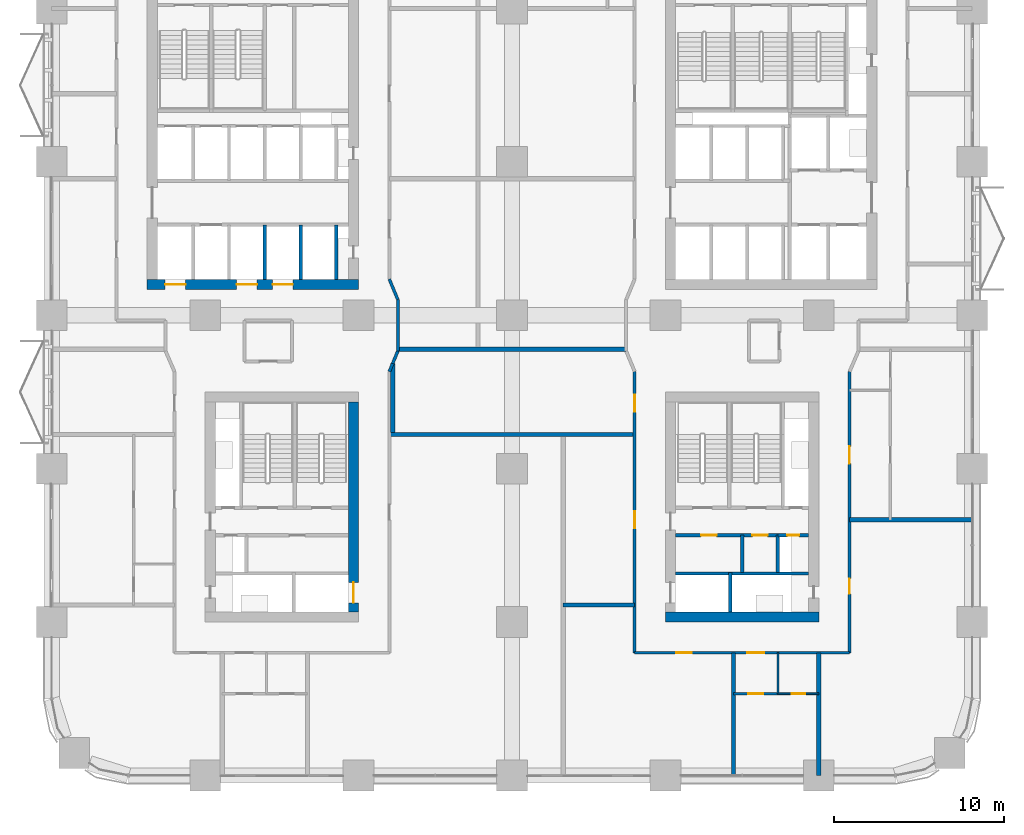
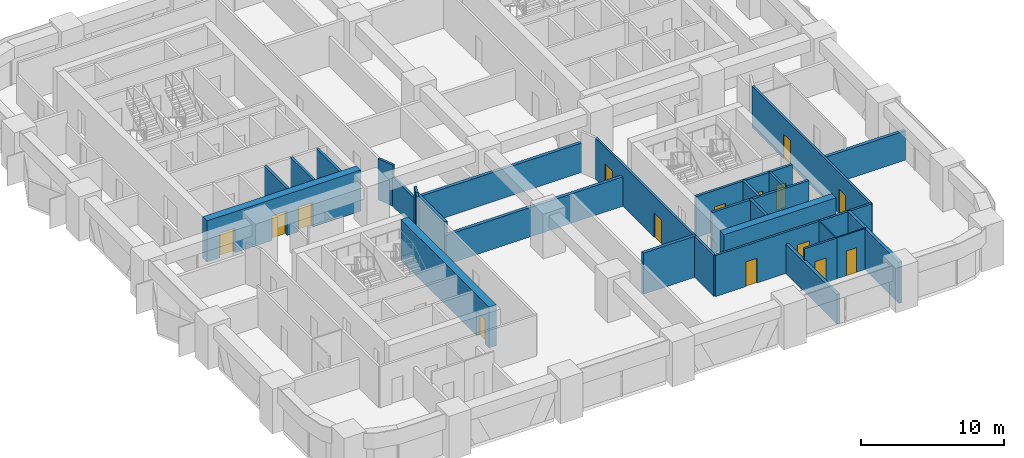
# One storey, part 13 of 21: 29 walls, 15 doors, 15 openings.
"""IFC4 building model written with IfcOpenShell, lengths in metres."""

from ifc_helpers import new_model, si_unit, direction, frame, frame_2d, origin, place, context, subcontext, project, spatial, rectangle, extrude, material, layer, layer_set, type_object, element, fill, save


model = new_model("IFC4")

# Units and contexts
model_context = context("Model", 3, precision=1e-05, world=origin(), true_north=direction((0.0, 1.0)))
body_context = subcontext(model_context, "Body", "Model", "MODEL_VIEW")
ifc_project = project(units=[si_unit("LENGTHUNIT", "METRE"), si_unit("AREAUNIT", "SQUARE_METRE"), si_unit("VOLUMEUNIT", "CUBIC_METRE"), si_unit("PLANEANGLEUNIT", "RADIAN"), si_unit("MASSUNIT", "GRAM", prefix="KILO")], contexts=[model_context])

# Site, building, storey
site_placement = place(None, origin())
site = spatial("IfcSite", under=ifc_project, at=site_placement, CompositionType="ELEMENT")
building_placement = place(site_placement, origin())
building = spatial("IfcBuilding", under=site, at=building_placement, Name="Tessera Arch", CompositionType="ELEMENT")
storey_placement = place(building_placement, frame((0.0, 0.0, 42.39990234375)))
storey = spatial("IfcBuildingStorey", under=building, at=storey_placement, Name="L08", CompositionType="ELEMENT", Elevation=42.39990234375)

# Wall
ifc_material_1 = material(Name="Gypsum board on steel stud", Category="steel")
ifc_layer_1 = layer(ifc_material_1, 0.125)
ifc_layer_set_1 = layer_set([ifc_layer_1], Name="Core partition 125 EI 60")
wall_type_1 = type_object("IfcWallType", Name="Core partition 125 EI 60", PredefinedType="PARTITIONING", material=ifc_layer_set_1)
wall_1_placement = place(storey_placement, frame((40.5, 11.89990234375, 0.0), z_axis=(0.0, 0.0, 1.0), x_axis=(0.0, 1.0, 0.0)))
element("IfcWall", 1, at=wall_1_placement, inside=storey, type_object=wall_type_1, Name="L08 C3 partition wall 4", PredefinedType="PARTITIONING", context=body_context, shape_type="SweptSolid", body=[
    extrude(rectangle(XDim=2.2001953125, YDim=0.199951171875, at=frame_2d((1.10009765625, 0.0))), origin(), (0.0, 0.0, 1.0), 3.5),
])

# Wall, openings, doors
wall_2_placement = place(storey_placement, frame((36.60009765625, 14.10009765625, 0.0), z_axis=(0.0, 0.0, 1.0), x_axis=(1.0, 0.0, 0.0)))
wall_2 = element("IfcWall", 2, at=wall_2_placement, inside=storey, type_object=wall_type_1, Name="L08 C3 partition wall 9", PredefinedType="PARTITIONING", context=body_context, shape_type="SweptSolid", body=[
    extrude(rectangle(XDim=6.0, YDim=0.199951171875, at=frame_2d((3.0, 0.0))), origin(), (0.0, 0.0, 1.0), 3.5),
])
opening_1_placement = place(wall_2_placement, frame((1.5, 0.0, 0.0)))
opening_1 = element("IfcOpeningElement", 3, at=opening_1_placement, cuts=wall_2, Name="Opening L08-C40", PredefinedType="OPENING", context=body_context, shape_type="SweptSolid", body=[
    extrude(rectangle(XDim=0.89990234375, YDim=2.10009765625, at=frame_2d((0.449951171875, 1.050048828125))), frame((0.0, 0.10986328125, 0.0), z_axis=(0.0, -1.0, 0.0), x_axis=(1.0, 0.0, 0.0)), (0.0, 0.0, 1.0), 0.219970703125),
])
opening_2_placement = place(wall_2_placement, frame((4.5, 0.0, 0.0)))
opening_2 = element("IfcOpeningElement", 4, at=opening_2_placement, cuts=wall_2, Name="Opening L08-C41", PredefinedType="OPENING", context=body_context, shape_type="SweptSolid", body=[
    extrude(rectangle(XDim=0.89990234375, YDim=2.10009765625, at=frame_2d((0.449951171875, 1.050048828125))), frame((0.0, 0.10986328125, 0.0), z_axis=(0.0, -1.0, 0.0), x_axis=(1.0, 0.0, 0.0)), (0.0, 0.0, 1.0), 0.219970703125),
])
ifc_material_2 = material(Name="Steel door leaf", Category="steel")
door_type_1 = type_object("IfcDoorType", Name="Store door FD30S 900 x 2100", OperationType="SINGLE_SWING_LEFT", PredefinedType="DOOR", material=ifc_material_2)
door_1_placement = place(opening_1_placement, origin())
door_1 = element("IfcDoor", 5, at=door_1_placement, inside=storey, type_object=door_type_1, Name="L08 C3 door 8 C40 type D09", OperationType="SINGLE_SWING_LEFT", OverallHeight=2.10009765625, OverallWidth=0.89990234375, PredefinedType="DOOR", context=body_context, shape_type="SweptSolid", body=[
    extrude(rectangle(XDim=0.89990234375, YDim=2.10009765625, at=frame_2d((0.449951171875, 1.050048828125))), frame((0.0, 0.02490234375, 0.0), z_axis=(0.0, -1.0, 0.0), x_axis=(1.0, 0.0, 0.0)), (0.0, 0.0, 1.0), 0.050048828125),
])
fill(opening_1, door_1)
door_2_placement = place(opening_2_placement, origin())
door_2 = element("IfcDoor", 6, at=door_2_placement, inside=storey, type_object=door_type_1, Name="L08 C3 door 9 C41 type D09", OperationType="SINGLE_SWING_RIGHT", OverallHeight=2.10009765625, OverallWidth=0.89990234375, PredefinedType="DOOR", context=body_context, shape_type="SweptSolid", body=[
    extrude(rectangle(XDim=0.89990234375, YDim=2.10009765625, at=frame_2d((0.449951171875, 1.050048828125))), frame((0.0, 0.02490234375, 0.0), z_axis=(0.0, -1.0, 0.0), x_axis=(1.0, 0.0, 0.0)), (0.0, 0.0, 1.0), 0.050048828125),
])
fill(opening_2, door_2)

ifc_material_3 = material(Name="Concrete C70/85", Category="concrete")
ifc_layer_2 = layer(ifc_material_3, 0.60009765625)
ifc_layer_set_2 = layer_set([ifc_layer_2], Name="Core shell wall 600 C70-85")
wall_type_2 = type_object("IfcWallType", Name="Core shell wall 600 C70-85", PredefinedType="SHEAR", material=ifc_layer_set_2)
wall_3_placement = place(storey_placement, frame((5.60009765625, 28.800048828125, 0.0), z_axis=(0.0, 0.0, 1.0), x_axis=(1.0, 0.0, 0.0)))
wall_3 = element("IfcWall", 7, at=wall_3_placement, inside=storey, type_object=wall_type_2, Name="L08 C2 core wall S", PredefinedType="SHEAR", context=body_context, shape_type="SweptSolid", body=[
    extrude(rectangle(XDim=12.39990234375, YDim=0.60009765625, at=frame_2d((6.199951171875, 0.0))), origin(), (0.0, 0.0, 1.0), 3.5),
])
opening_3_placement = place(wall_3_placement, frame((1.050048828125, 0.0, 0.0)))
opening_3 = element("IfcOpeningElement", 8, at=opening_3_placement, cuts=wall_3, Name="Opening L08-C14", PredefinedType="OPENING", context=body_context, shape_type="SweptSolid", body=[
    extrude(rectangle(XDim=1.199951171875, YDim=2.10009765625, at=frame_2d((0.60009765625, 1.050048828125))), frame((0.0, 0.31005859375, 0.0), z_axis=(0.0, -1.0, 0.0), x_axis=(1.0, 0.0, 0.0)), (0.0, 0.0, 1.0), 0.6201171875),
])
opening_4_placement = place(wall_3_placement, frame((5.25, 0.0, 0.0)))
opening_4 = element("IfcOpeningElement", 9, at=opening_4_placement, cuts=wall_3, Name="Opening L08-C16", PredefinedType="OPENING", context=body_context, shape_type="SweptSolid", body=[
    extrude(rectangle(XDim=1.199951171875, YDim=2.10009765625, at=frame_2d((0.60009765625, 1.050048828125))), frame((0.0, 0.31005859375, 0.0), z_axis=(0.0, -1.0, 0.0), x_axis=(1.0, 0.0, 0.0)), (0.0, 0.0, 1.0), 0.6201171875),
])
opening_5_placement = place(wall_3_placement, frame((7.35009765625, 0.0, 0.0)))
opening_5 = element("IfcOpeningElement", 10, at=opening_5_placement, cuts=wall_3, Name="Opening L08-C17", PredefinedType="OPENING", context=body_context, shape_type="SweptSolid", body=[
    extrude(rectangle(XDim=1.199951171875, YDim=2.10009765625, at=frame_2d((0.60009765625, 1.050048828125))), frame((0.0, 0.31005859375, 0.0), z_axis=(0.0, -1.0, 0.0), x_axis=(1.0, 0.0, 0.0)), (0.0, 0.0, 1.0), 0.6201171875),
])
ifc_material_4 = material(Name="Stainless steel AISI 304", Category="steel")
door_type_2 = type_object("IfcDoorType", Name="Sliding landing door 1200 x 2100", OperationType="SLIDING_TO_LEFT", PredefinedType="DOOR", material=ifc_material_4)
door_3_placement = place(opening_3_placement, origin())
door_3 = element("IfcDoor", 11, at=door_3_placement, inside=storey, type_object=door_type_2, Name="L08 LR1 lift landing door C14 type LD", OperationType="SLIDING_TO_LEFT", OverallHeight=2.10009765625, OverallWidth=1.199951171875, PredefinedType="DOOR", context=body_context, shape_type="SweptSolid", body=[
    extrude(rectangle(XDim=1.199951171875, YDim=2.10009765625, at=frame_2d((0.60009765625, 1.050048828125))), frame((0.0, 0.02490234375, 0.0), z_axis=(0.0, -1.0, 0.0), x_axis=(1.0, 0.0, 0.0)), (0.0, 0.0, 1.0), 0.050048828125),
])
fill(opening_3, door_3)
door_4_placement = place(opening_4_placement, origin())
door_4 = element("IfcDoor", 12, at=door_4_placement, inside=storey, type_object=door_type_2, Name="L08 LR3 lift landing door C16 type LD", OperationType="SLIDING_TO_LEFT", OverallHeight=2.10009765625, OverallWidth=1.199951171875, PredefinedType="DOOR", context=body_context, shape_type="SweptSolid", body=[
    extrude(rectangle(XDim=1.199951171875, YDim=2.10009765625, at=frame_2d((0.60009765625, 1.050048828125))), frame((0.0, 0.02490234375, 0.0), z_axis=(0.0, -1.0, 0.0), x_axis=(1.0, 0.0, 0.0)), (0.0, 0.0, 1.0), 0.050048828125),
])
fill(opening_4, door_4)
door_5_placement = place(opening_5_placement, origin())
door_5 = element("IfcDoor", 13, at=door_5_placement, inside=storey, type_object=door_type_2, Name="L08 LR4 lift landing door C17 type LD", OperationType="SLIDING_TO_LEFT", OverallHeight=2.10009765625, OverallWidth=1.199951171875, PredefinedType="DOOR", context=body_context, shape_type="SweptSolid", body=[
    extrude(rectangle(XDim=1.199951171875, YDim=2.10009765625, at=frame_2d((0.60009765625, 1.050048828125))), frame((0.0, 0.02490234375, 0.0), z_axis=(0.0, -1.0, 0.0), x_axis=(1.0, 0.0, 0.0)), (0.0, 0.0, 1.0), 0.050048828125),
])
fill(opening_5, door_5)

# Wall
wall_4_placement = place(storey_placement, frame((36.0, 9.300048828125, 0.0), z_axis=(0.0, 0.0, 1.0), x_axis=(1.0, 0.0, 0.0)))
element("IfcWall", 14, at=wall_4_placement, inside=storey, type_object=wall_type_2, Name="L08 C3 core wall S", PredefinedType="SHEAR", context=body_context, shape_type="SweptSolid", body=[
    extrude(rectangle(XDim=9.0, YDim=0.60009765625, at=frame_2d((4.5, 0.0))), origin(), (0.0, 0.0, 1.0), 3.5),
])

# Wall, opening, door
wall_5_placement = place(storey_placement, frame((17.699951171875, 9.60009765625, 0.0), z_axis=(0.0, 0.0, 1.0), x_axis=(0.0, 1.0, 0.0)))
wall_5 = element("IfcWall", 15, at=wall_5_placement, inside=storey, type_object=wall_type_2, Name="L08 C4 core wall E", PredefinedType="SHEAR", context=body_context, shape_type="SweptSolid", body=[
    extrude(rectangle(XDim=12.2998046875, YDim=0.60009765625, at=frame_2d((6.14990234375, 0.0))), origin(), (0.0, 0.0, 1.0), 3.5),
])
opening_6_placement = place(wall_5_placement, frame((0.52490234375, 0.0, 0.0)))
opening_6 = element("IfcOpeningElement", 16, at=opening_6_placement, cuts=wall_5, Name="Opening L08-C42", PredefinedType="OPENING", context=body_context, shape_type="SweptSolid", body=[
    extrude(rectangle(XDim=1.199951171875, YDim=2.10009765625, at=frame_2d((0.60009765625, 1.050048828125))), frame((0.0, 0.31005859375, 0.0), z_axis=(0.0, -1.0, 0.0), x_axis=(1.0, 0.0, 0.0)), (0.0, 0.0, 1.0), 0.6201171875),
])
door_6_placement = place(opening_6_placement, origin())
door_6 = element("IfcDoor", 17, at=door_6_placement, inside=storey, type_object=door_type_2, Name="L08 SV3 lift landing door C42 type LD", OperationType="SLIDING_TO_LEFT", OverallHeight=2.10009765625, OverallWidth=1.199951171875, PredefinedType="DOOR", context=body_context, shape_type="SweptSolid", body=[
    extrude(rectangle(XDim=1.199951171875, YDim=2.10009765625, at=frame_2d((0.60009765625, 1.050048828125))), frame((0.0, 0.02490234375, 0.0), z_axis=(0.0, -1.0, 0.0), x_axis=(1.0, 0.0, 0.0)), (0.0, 0.0, 1.0), 0.050048828125),
])
fill(opening_6, door_6)

# Wall, openings, doors
ifc_material_5 = material(Name="Gypsum board on deep steel stud with mineral wool", Category="steel")
ifc_layer_3 = layer(ifc_material_5, 0.175048828125)
ifc_layer_set_3 = layer_set([ifc_layer_3], Name="Corridor wall 175 EI 60")
wall_type_3 = type_object("IfcWallType", Name="Corridor wall 175 EI 60", PredefinedType="PARTITIONING", material=ifc_layer_set_3)
wall_6_placement = place(storey_placement, frame((34.199951171875, 7.199951171875, 0.0), z_axis=(0.0, 0.0, 1.0), x_axis=(1.0, 0.0, 0.0)))
wall_6 = element("IfcWall", 18, at=wall_6_placement, inside=storey, type_object=wall_type_3, Name="L08 partition 2", PredefinedType="PARTITIONING", context=body_context, shape_type="SweptSolid", body=[
    extrude(rectangle(XDim=12.60009765625, YDim=0.175048828125, at=frame_2d((6.300048828125, 0.0))), origin(), (0.0, 0.0, 1.0), 3.5),
])
opening_7_placement = place(wall_6_placement, frame((6.60009765625, 0.0, 0.0)))
opening_7 = element("IfcOpeningElement", 19, at=opening_7_placement, cuts=wall_6, Name="Opening L08-D004", PredefinedType="OPENING", context=body_context, shape_type="SweptSolid", body=[
    extrude(rectangle(XDim=1.0, YDim=2.10009765625, at=frame_2d((0.5, 1.050048828125))), frame((0.0, 0.097412109375, 0.0), z_axis=(0.0, -1.0, 0.0), x_axis=(1.0, 0.0, 0.0)), (0.0, 0.0, 1.0), 0.195068359375),
])
opening_8_placement = place(wall_6_placement, frame((2.449951171875, 0.0, 0.0)))
opening_8 = element("IfcOpeningElement", 20, at=opening_8_placement, cuts=wall_6, Name="Opening L08-D007", PredefinedType="OPENING", context=body_context, shape_type="SweptSolid", body=[
    extrude(rectangle(XDim=0.89990234375, YDim=2.10009765625, at=frame_2d((0.449951171875, 1.050048828125))), frame((0.0, 0.097412109375, 0.0), z_axis=(0.0, -1.0, 0.0), x_axis=(1.0, 0.0, 0.0)), (0.0, 0.0, 1.0), 0.195068359375),
])
ifc_material_6 = material(Name="Fire-rated door leaf")
door_type_3 = type_object("IfcDoorType", Name="Entrance door FD30S 1000 x 2100", OperationType="SINGLE_SWING_LEFT", PredefinedType="DOOR", material=ifc_material_6)
door_7_placement = place(opening_7_placement, origin())
door_7 = element("IfcDoor", 21, at=door_7_placement, inside=storey, type_object=door_type_3, Name="L08 door D004 type D03", OperationType="SINGLE_SWING_LEFT", OverallHeight=2.10009765625, OverallWidth=1.0, PredefinedType="DOOR", context=body_context, shape_type="SweptSolid", body=[
    extrude(rectangle(XDim=1.0, YDim=2.10009765625, at=frame_2d((0.5, 1.050048828125))), frame((0.0, 0.02490234375, 0.0), z_axis=(0.0, -1.0, 0.0), x_axis=(1.0, 0.0, 0.0)), (0.0, 0.0, 1.0), 0.050048828125),
])
fill(opening_7, door_7)
ifc_material_7 = material(Name="Timber door leaf", Category="wood")
door_type_4 = type_object("IfcDoorType", Name="Room door 900 x 2100", OperationType="SINGLE_SWING_LEFT", PredefinedType="DOOR", material=ifc_material_7)
door_8_placement = place(opening_8_placement, origin())
door_8 = element("IfcDoor", 22, at=door_8_placement, inside=storey, type_object=door_type_4, Name="L08 door D007 type D01", OperationType="SINGLE_SWING_RIGHT", OverallHeight=2.10009765625, OverallWidth=0.89990234375, PredefinedType="DOOR", context=body_context, shape_type="SweptSolid", body=[
    extrude(rectangle(XDim=0.89990234375, YDim=2.10009765625, at=frame_2d((0.449951171875, 1.050048828125))), frame((0.0, 0.02490234375, 0.0), z_axis=(0.0, -1.0, 0.0), x_axis=(1.0, 0.0, 0.0)), (0.0, 0.0, 1.0), 0.050048828125),
])
fill(opening_8, door_8)

# Wall
wall_7_placement = place(storey_placement, frame((20.300048828125, 24.889892578125, 0.0), z_axis=(0.0, 0.0, 1.0), x_axis=(0.0, 1.0, 0.0)))
element("IfcWall", 23, at=wall_7_placement, inside=storey, type_object=wall_type_3, Name="L08 partition 18", PredefinedType="PARTITIONING", context=body_context, shape_type="SweptSolid", body=[
    extrude(rectangle(XDim=3.030029296875, YDim=0.175048828125, at=frame_2d((1.51513671875, 0.0))), origin(), (0.0, 0.0, 1.0), 2.5),
])

# Wall, openings, doors
wall_8_placement = place(storey_placement, frame((34.199951171875, 7.199951171875, 0.0), z_axis=(0.0, 0.0, 1.0), x_axis=(0.0, 1.0, 0.0)))
wall_8 = element("IfcWall", 24, at=wall_8_placement, inside=storey, type_object=wall_type_3, Name="L08 partition 20", PredefinedType="PARTITIONING", context=body_context, shape_type="SweptSolid", body=[
    extrude(rectangle(XDim=16.489990234375, YDim=0.175048828125, at=frame_2d((8.2451171875, 0.0))), origin(), (0.0, 0.0, 1.0), 3.5),
])
opening_9_placement = place(wall_8_placement, frame((7.300048828125, 0.0, 0.0)))
opening_9 = element("IfcOpeningElement", 25, at=opening_9_placement, cuts=wall_8, Name="Opening L08-D014", PredefinedType="OPENING", context=body_context, shape_type="SweptSolid", body=[
    extrude(rectangle(XDim=1.0, YDim=2.10009765625, at=frame_2d((0.5, 1.050048828125))), frame((0.0, 0.097412109375, 0.0), z_axis=(0.0, -1.0, 0.0), x_axis=(1.0, 0.0, 0.0)), (0.0, 0.0, 1.0), 0.195068359375),
])
opening_10_placement = place(wall_8_placement, frame((14.14501953125, 0.0, 0.0)))
opening_10 = element("IfcOpeningElement", 26, at=opening_10_placement, cuts=wall_8, Name="Opening L08-D019", PredefinedType="OPENING", context=body_context, shape_type="SweptSolid", body=[
    extrude(rectangle(XDim=1.0, YDim=2.10009765625, at=frame_2d((0.5, 1.050048828125))), frame((0.0, 0.097412109375, 0.0), z_axis=(0.0, -1.0, 0.0), x_axis=(1.0, 0.0, 0.0)), (0.0, 0.0, 1.0), 0.195068359375),
])
door_9_placement = place(opening_9_placement, origin())
door_9 = element("IfcDoor", 27, at=door_9_placement, inside=storey, type_object=door_type_3, Name="L08 door D014 type D03", OperationType="SINGLE_SWING_RIGHT", OverallHeight=2.10009765625, OverallWidth=1.0, PredefinedType="DOOR", context=body_context, shape_type="SweptSolid", body=[
    extrude(rectangle(XDim=1.0, YDim=2.10009765625, at=frame_2d((0.5, 1.050048828125))), frame((0.0, 0.02490234375, 0.0), z_axis=(0.0, -1.0, 0.0), x_axis=(1.0, 0.0, 0.0)), (0.0, 0.0, 1.0), 0.050048828125),
])
fill(opening_9, door_9)
door_10_placement = place(opening_10_placement, origin())
door_10 = element("IfcDoor", 28, at=door_10_placement, inside=storey, type_object=door_type_3, Name="L08 door D019 type D03", OperationType="SINGLE_SWING_LEFT", OverallHeight=2.10009765625, OverallWidth=1.0, PredefinedType="DOOR", context=body_context, shape_type="SweptSolid", body=[
    extrude(rectangle(XDim=1.0, YDim=2.10009765625, at=frame_2d((0.5, 1.050048828125))), frame((0.0, 0.02490234375, 0.0), z_axis=(0.0, -1.0, 0.0), x_axis=(1.0, 0.0, 0.0)), (0.0, 0.0, 1.0), 0.050048828125),
])
fill(opening_10, door_10)

wall_9_placement = place(storey_placement, frame((46.800048828125, 7.199951171875, 0.0), z_axis=(0.0, 0.0, 1.0), x_axis=(0.0, 1.0, 0.0)))
wall_9 = element("IfcWall", 29, at=wall_9_placement, inside=storey, type_object=wall_type_3, Name="L08 partition 24", PredefinedType="PARTITIONING", context=body_context, shape_type="SweptSolid", body=[
    extrude(rectangle(XDim=16.489990234375, YDim=0.175048828125, at=frame_2d((8.2451171875, 0.0))), origin(), (0.0, 0.0, 1.0), 3.5),
])
opening_11_placement = place(wall_9_placement, frame((3.449951171875, 0.0, 0.0)))
opening_11 = element("IfcOpeningElement", 30, at=opening_11_placement, cuts=wall_9, Name="Opening L08-D009", PredefinedType="OPENING", context=body_context, shape_type="SweptSolid", body=[
    extrude(rectangle(XDim=0.89990234375, YDim=2.10009765625, at=frame_2d((0.449951171875, 1.050048828125))), frame((0.0, 0.097412109375, 0.0), z_axis=(0.0, -1.0, 0.0), x_axis=(1.0, 0.0, 0.0)), (0.0, 0.0, 1.0), 0.195068359375),
])
opening_12_placement = place(wall_9_placement, frame((11.10009765625, 0.0, 0.0)))
opening_12 = element("IfcOpeningElement", 31, at=opening_12_placement, cuts=wall_9, Name="Opening L08-D015", PredefinedType="OPENING", context=body_context, shape_type="SweptSolid", body=[
    extrude(rectangle(XDim=1.0, YDim=2.10009765625, at=frame_2d((0.5, 1.050048828125))), frame((0.0, 0.097412109375, 0.0), z_axis=(0.0, -1.0, 0.0), x_axis=(1.0, 0.0, 0.0)), (0.0, 0.0, 1.0), 0.195068359375),
])
door_11_placement = place(opening_12_placement, origin())
door_11 = element("IfcDoor", 32, at=door_11_placement, inside=storey, type_object=door_type_3, Name="L08 door D015 type D03", OperationType="SINGLE_SWING_RIGHT", OverallHeight=2.10009765625, OverallWidth=1.0, PredefinedType="DOOR", context=body_context, shape_type="SweptSolid", body=[
    extrude(rectangle(XDim=1.0, YDim=2.10009765625, at=frame_2d((0.5, 1.050048828125))), frame((0.0, 0.02490234375, 0.0), z_axis=(0.0, -1.0, 0.0), x_axis=(1.0, 0.0, 0.0)), (0.0, 0.0, 1.0), 0.050048828125),
])
fill(opening_12, door_11)
door_12_placement = place(opening_11_placement, origin())
door_12 = element("IfcDoor", 33, at=door_12_placement, inside=storey, type_object=door_type_4, Name="L08 door D009 type D01", OperationType="SINGLE_SWING_RIGHT", OverallHeight=2.10009765625, OverallWidth=0.89990234375, PredefinedType="DOOR", context=body_context, shape_type="SweptSolid", body=[
    extrude(rectangle(XDim=0.89990234375, YDim=2.10009765625, at=frame_2d((0.449951171875, 1.050048828125))), frame((0.0, 0.02490234375, 0.0), z_axis=(0.0, -1.0, 0.0), x_axis=(1.0, 0.0, 0.0)), (0.0, 0.0, 1.0), 0.050048828125),
])
fill(opening_11, door_12)

# Walls
wall_10_placement = place(storey_placement, frame((20.0, 24.169921875, 0.0), z_axis=(0.0, 0.0, 1.0), x_axis=(-0.384548704165, -0.923104703771, 0.0)))
element("IfcWall", 34, at=wall_10_placement, inside=storey, type_object=wall_type_3, Name="L08 partition 71", PredefinedType="PARTITIONING", context=body_context, shape_type="SweptSolid", body=[
    extrude(rectangle(XDim=0.52001953125, YDim=0.175048828125, at=frame_2d((0.260009765625, 0.0))), origin(), (0.0, 0.0, 1.0), 3.5),
])
wall_11_placement = place(storey_placement, frame((20.300048828125, 24.889892578125, 0.0), z_axis=(0.0, 0.0, 1.0), x_axis=(-0.384682059045, -0.923049139238, 0.0)))
element("IfcWall", 35, at=wall_11_placement, inside=storey, type_object=wall_type_3, Name="L08 partition 73", PredefinedType="PARTITIONING", context=body_context, shape_type="SweptSolid", body=[
    extrude(rectangle(XDim=0.780029296875, YDim=0.175048828125, at=frame_2d((0.39013671875, 0.0))), origin(), (0.0, 0.0, 1.0), 3.5),
])
wall_12_placement = place(storey_placement, frame((19.800048828125, 29.1201171875, 0.0), z_axis=(0.0, 0.0, 1.0), x_axis=(0.384562051588, -0.923099143363, 0.0)))
element("IfcWall", 36, at=wall_12_placement, inside=storey, type_object=wall_type_3, Name="L08 partition 74", PredefinedType="PARTITIONING", context=body_context, shape_type="SweptSolid", body=[
    extrude(rectangle(XDim=1.30029296875, YDim=0.175048828125, at=frame_2d((0.650146484375, 0.0))), origin(), (0.0, 0.0, 1.0), 3.5),
])

# Wall, opening, door
ifc_material_8 = material(Name="Gypsum board on steel stud", Category="steel")
ifc_layer_4 = layer(ifc_material_8, 0.14990234375)
ifc_layer_set_4 = layer_set([ifc_layer_4], Name="Partition 150")
wall_type_4 = type_object("IfcWallType", Name="Partition 150", PredefinedType="PARTITIONING", material=ifc_layer_set_4)
wall_13_placement = place(storey_placement, frame((40.0, 4.800048828125, 0.0), z_axis=(0.0, 0.0, 1.0), x_axis=(1.0, 0.0, 0.0)))
wall_13 = element("IfcWall", 37, at=wall_13_placement, inside=storey, type_object=wall_type_4, Name="L08 partition 28", PredefinedType="PARTITIONING", context=body_context, shape_type="SweptSolid", body=[
    extrude(rectangle(XDim=2.60009765625, YDim=0.14990234375, at=frame_2d((1.300048828125, 0.0))), origin(), (0.0, 0.0, 1.0), 3.5),
])
opening_13_placement = place(wall_13_placement, frame((0.85009765625, 0.0, 0.0)))
opening_13 = element("IfcOpeningElement", 38, at=opening_13_placement, cuts=wall_13, Name="Opening L08-D005", PredefinedType="OPENING", context=body_context, shape_type="SweptSolid", body=[
    extrude(rectangle(XDim=0.89990234375, YDim=2.10009765625, at=frame_2d((0.449951171875, 1.050048828125))), frame((0.0, 0.0849609375, 0.0), z_axis=(0.0, -1.0, 0.0), x_axis=(1.0, 0.0, 0.0)), (0.0, 0.0, 1.0), 0.169921875),
])
door_13_placement = place(opening_13_placement, origin())
door_13 = element("IfcDoor", 39, at=door_13_placement, inside=storey, type_object=door_type_4, Name="L08 door D005 type D01", OperationType="SINGLE_SWING_RIGHT", OverallHeight=2.10009765625, OverallWidth=0.89990234375, PredefinedType="DOOR", context=body_context, shape_type="SweptSolid", body=[
    extrude(rectangle(XDim=0.89990234375, YDim=2.10009765625, at=frame_2d((0.449951171875, 1.050048828125))), frame((0.0, 0.02490234375, 0.0), z_axis=(0.0, -1.0, 0.0), x_axis=(1.0, 0.0, 0.0)), (0.0, 0.0, 1.0), 0.050048828125),
])
fill(opening_13, door_13)

# Walls
ifc_material_9 = material(Name="Double gypsum board on twin steel stud with acoustic mineral wool", Category="steel")
ifc_layer_5 = layer(ifc_material_9, 0.25)
ifc_layer_set_5 = layer_set([ifc_layer_5], Name="Party wall 250 EI 60")
wall_type_5 = type_object("IfcWallType", Name="Party wall 250 EI 60", PredefinedType="PARTITIONING", material=ifc_layer_set_5)
wall_14_placement = place(storey_placement, frame((30.0, 10.0, 0.0), z_axis=(0.0, 0.0, 1.0), x_axis=(1.0, 0.0, 0.0)))
element("IfcWall", 40, at=wall_14_placement, inside=storey, type_object=wall_type_5, Name="L08 partition 33", PredefinedType="PARTITIONING", context=body_context, shape_type="SweptSolid", body=[
    extrude(rectangle(XDim=4.199951171875, YDim=0.25, at=frame_2d((2.10009765625, 0.0))), origin(), (0.0, 0.0, 1.0), 3.5),
])
wall_15_placement = place(storey_placement, frame((46.800048828125, 15.0, 0.0), z_axis=(0.0, 0.0, 1.0), x_axis=(1.0, 0.0, 0.0)))
element("IfcWall", 41, at=wall_15_placement, inside=storey, type_object=wall_type_5, Name="L08 partition 34", PredefinedType="PARTITIONING", context=body_context, shape_type="SweptSolid", body=[
    extrude(rectangle(XDim=7.199951171875, YDim=0.25, at=frame_2d((3.60009765625, 0.0))), origin(), (0.0, 0.0, 1.0), 2.5),
])
wall_16_placement = place(storey_placement, frame((19.875, 20.0, 0.0), z_axis=(0.0, 0.0, 1.0), x_axis=(1.0, 0.0, 0.0)))
element("IfcWall", 42, at=wall_16_placement, inside=storey, type_object=wall_type_5, Name="L08 partition 36", PredefinedType="PARTITIONING", context=body_context, shape_type="SweptSolid", body=[
    extrude(rectangle(XDim=14.324951171875, YDim=0.25, at=frame_2d((7.16259765625, 0.0))), origin(), (0.0, 0.0, 1.0), 2.5),
])
wall_17_placement = place(storey_placement, frame((20.300048828125, 25.0, 0.0), z_axis=(0.0, 0.0, 1.0), x_axis=(1.0, 0.0, 0.0)))
element("IfcWall", 43, at=wall_17_placement, inside=storey, type_object=wall_type_5, Name="L08 partition 38", PredefinedType="PARTITIONING", context=body_context, shape_type="SweptSolid", body=[
    extrude(rectangle(XDim=13.39990234375, YDim=0.25, at=frame_2d((6.699951171875, 0.0))), origin(), (0.0, 0.0, 1.0), 2.5),
])
wall_18_placement = place(storey_placement, frame((20.0, 20.125, 0.0), z_axis=(0.0, 0.0, 1.0), x_axis=(0.0, 1.0, 0.0)))
element("IfcWall", 44, at=wall_18_placement, inside=storey, type_object=wall_type_5, Name="L08 partition 51", PredefinedType="PARTITIONING", context=body_context, shape_type="SweptSolid", body=[
    extrude(rectangle(XDim=4.044921875, YDim=0.25, at=frame_2d((2.0224609375, 0.0))), origin(), (0.0, 0.0, 1.0), 3.5),
])
wall_19_placement = place(storey_placement, frame((40.0, 0.0, 0.0), z_axis=(0.0, 0.0, 1.0), x_axis=(0.0, 1.0, 0.0)))
element("IfcWall", 45, at=wall_19_placement, inside=storey, type_object=wall_type_5, Name="L08 partition 55", PredefinedType="PARTITIONING", context=body_context, shape_type="SweptSolid", body=[
    extrude(rectangle(XDim=7.199951171875, YDim=0.25, at=frame_2d((3.60009765625, 0.0))), origin(), (0.0, 0.0, 1.0), 2.5),
])
wall_20_placement = place(storey_placement, frame((45.0, 0.0, 0.0), z_axis=(0.0, 0.0, 1.0), x_axis=(0.0, 1.0, 0.0)))
element("IfcWall", 46, at=wall_20_placement, inside=storey, type_object=wall_type_5, Name="L08 partition 56", PredefinedType="PARTITIONING", context=body_context, shape_type="SweptSolid", body=[
    extrude(rectangle(XDim=7.199951171875, YDim=0.25, at=frame_2d((3.60009765625, 0.0))), origin(), (0.0, 0.0, 1.0), 3.5),
])
ifc_material_10 = material(Name="Concrete C40/50", Category="concrete")
ifc_layer_6 = layer(ifc_material_10, 0.199951171875)
ifc_layer_set_6 = layer_set([ifc_layer_6], Name="Shaft wall 200 EI 120")
wall_type_6 = type_object("IfcWallType", Name="Shaft wall 200 EI 120", PredefinedType="SOLIDWALL", material=ifc_layer_set_6)
for number, where, z_axis, x_axis, name in (
    (47, (12.5, 29.10009765625, 0.0), (0.0, 0.0, 1.0), (0.0, 1.0, 0.0), "L08 C2 shaft wall 8"),
    (48, (14.60009765625, 29.10009765625, 0.0), (0.0, 0.0, 1.0), (0.0, 1.0, 0.0), "L08 C2 shaft wall 14"),
    (49, (16.699951171875, 29.10009765625, 0.0), (0.0, 0.0, 1.0), (0.0, 1.0, 0.0), "L08 C2 shaft wall 16"),
):
    element("IfcWall", number, at=place(storey_placement, frame(where, z_axis=z_axis, x_axis=x_axis)), inside=storey, type_object=wall_type_6, Name=name, PredefinedType="SOLIDWALL", context=body_context, shape_type="SweptSolid", body=[
        extrude(rectangle(XDim=3.199951171875, YDim=0.199951171875, at=frame_2d((1.60009765625, 0.0))), origin(), (0.0, 0.0, 1.0), 3.5),
    ])
wall_21_placement = place(storey_placement, frame((39.800048828125, 9.60009765625, 0.0), z_axis=(0.0, 0.0, 1.0), x_axis=(0.0, 1.0, 0.0)))
element("IfcWall", 50, at=wall_21_placement, inside=storey, type_object=wall_type_6, Name="L08 C3 shaft wall 3", PredefinedType="SOLIDWALL", context=body_context, shape_type="SweptSolid", body=[
    extrude(rectangle(XDim=2.2998046875, YDim=0.199951171875, at=frame_2d((1.14990234375, 0.0))), origin(), (0.0, 0.0, 1.0), 3.5),
])
wall_22_placement = place(storey_placement, frame((42.60009765625, 11.89990234375, 0.0), z_axis=(0.0, 0.0, 1.0), x_axis=(0.0, 1.0, 0.0)))
element("IfcWall", 51, at=wall_22_placement, inside=storey, type_object=wall_type_6, Name="L08 C3 shaft wall 5", PredefinedType="SOLIDWALL", context=body_context, shape_type="SweptSolid", body=[
    extrude(rectangle(XDim=2.2001953125, YDim=0.199951171875, at=frame_2d((1.10009765625, 0.0))), origin(), (0.0, 0.0, 1.0), 3.5),
])
wall_23_placement = place(storey_placement, frame((36.60009765625, 11.85009765625, 0.0), z_axis=(0.0, 0.0, 1.0), x_axis=(1.0, 0.0, 0.0)))
element("IfcWall", 52, at=wall_23_placement, inside=storey, type_object=wall_type_6, Name="L08 C3 shaft wall 8", PredefinedType="SOLIDWALL", context=body_context, shape_type="SweptSolid", body=[
    extrude(rectangle(XDim=7.7998046875, YDim=0.199951171875, at=frame_2d((3.89990234375, 0.0))), origin(), (0.0, 0.0, 1.0), 3.5),
])

# Wall, opening, door
wall_24_placement = place(storey_placement, frame((42.60009765625, 14.10009765625, 0.0), z_axis=(0.0, 0.0, 1.0), x_axis=(1.0, 0.0, 0.0)))
wall_24 = element("IfcWall", 53, at=wall_24_placement, inside=storey, type_object=wall_type_6, Name="L08 C3 shaft wall 10", PredefinedType="SOLIDWALL", context=body_context, shape_type="SweptSolid", body=[
    extrude(rectangle(XDim=1.7998046875, YDim=0.199951171875, at=frame_2d((0.89990234375, 0.0))), origin(), (0.0, 0.0, 1.0), 3.5),
])
opening_14_placement = place(wall_24_placement, frame((0.550048828125, 0.0, 0.0)))
opening_14 = element("IfcOpeningElement", 54, at=opening_14_placement, cuts=wall_24, Name="Opening L08-C37", PredefinedType="OPENING", context=body_context, shape_type="SweptSolid", body=[
    extrude(rectangle(XDim=0.699951171875, YDim=2.10009765625, at=frame_2d((0.35009765625, 1.050048828125))), frame((0.0, 0.10986328125, 0.0), z_axis=(0.0, -1.0, 0.0), x_axis=(1.0, 0.0, 0.0)), (0.0, 0.0, 1.0), 0.219970703125),
])
ifc_material_11 = material(Name="Steel door leaf", Category="steel")
door_type_5 = type_object("IfcDoorType", Name="Service shaft door FD60 700 x 2100", OperationType="SINGLE_SWING_LEFT", PredefinedType="DOOR", material=ifc_material_11)
door_14_placement = place(opening_14_placement, origin())
door_14 = element("IfcDoor", 55, at=door_14_placement, inside=storey, type_object=door_type_5, Name="L08 C3 door 5 C37 type D07", OperationType="SINGLE_SWING_RIGHT", OverallHeight=2.10009765625, OverallWidth=0.699951171875, PredefinedType="DOOR", context=body_context, shape_type="SweptSolid", body=[
    extrude(rectangle(XDim=0.699951171875, YDim=2.10009765625, at=frame_2d((0.35009765625, 1.050048828125))), frame((0.0, 0.02490234375, 0.0), z_axis=(0.0, -1.0, 0.0), x_axis=(1.0, 0.0, 0.0)), (0.0, 0.0, 1.0), 0.050048828125),
])
fill(opening_14, door_14)

ifc_material_12 = material(Name="Moisture-resistant board on pre-plumbed steel stud", Category="steel")
ifc_layer_7 = layer(ifc_material_12, 0.10009765625)
ifc_layer_set_7 = layer_set([ifc_layer_7], Name="Wet wall 100")
wall_type_7 = type_object("IfcWallType", Name="Wet wall 100", PredefinedType="PARTITIONING", material=ifc_layer_set_7)
wall_25_placement = place(storey_placement, frame((42.60009765625, 4.800048828125, 0.0), z_axis=(0.0, 0.0, 1.0), x_axis=(1.0, 0.0, 0.0)))
wall_25 = element("IfcWall", 56, at=wall_25_placement, inside=storey, type_object=wall_type_7, Name="L08 partition 59", PredefinedType="PARTITIONING", context=body_context, shape_type="SweptSolid", body=[
    extrude(rectangle(XDim=2.39990234375, YDim=0.10009765625, at=frame_2d((1.199951171875, 0.0))), origin(), (0.0, 0.0, 1.0), 3.5),
])
opening_15_placement = place(wall_25_placement, frame((0.800048828125, 0.0, 0.0)))
opening_15 = element("IfcOpeningElement", 57, at=opening_15_placement, cuts=wall_25, Name="Opening L08-D006", PredefinedType="OPENING", context=body_context, shape_type="SweptSolid", body=[
    extrude(rectangle(XDim=0.800048828125, YDim=2.10009765625, at=frame_2d((0.39990234375, 1.050048828125))), frame((0.0, 0.06005859375, 0.0), z_axis=(0.0, -1.0, 0.0), x_axis=(1.0, 0.0, 0.0)), (0.0, 0.0, 1.0), 0.1201171875),
])
ifc_material_13 = material(Name="Timber door leaf", Category="wood")
door_type_6 = type_object("IfcDoorType", Name="En-suite door 800 x 2100", OperationType="SINGLE_SWING_LEFT", PredefinedType="DOOR", material=ifc_material_13)
door_15_placement = place(opening_15_placement, origin())
door_15 = element("IfcDoor", 58, at=door_15_placement, inside=storey, type_object=door_type_6, Name="L08 door D006 type D02", OperationType="SINGLE_SWING_LEFT", OverallHeight=2.10009765625, OverallWidth=0.800048828125, PredefinedType="DOOR", context=body_context, shape_type="SweptSolid", body=[
    extrude(rectangle(XDim=0.800048828125, YDim=2.10009765625, at=frame_2d((0.39990234375, 1.050048828125))), frame((0.0, 0.02490234375, 0.0), z_axis=(0.0, -1.0, 0.0), x_axis=(1.0, 0.0, 0.0)), (0.0, 0.0, 1.0), 0.050048828125),
])
fill(opening_15, door_15)

# Wall
wall_26_placement = place(storey_placement, frame((42.60009765625, 4.800048828125, 0.0), z_axis=(0.0, 0.0, 1.0), x_axis=(0.0, 1.0, 0.0)))
element("IfcWall", 59, at=wall_26_placement, inside=storey, type_object=wall_type_7, Name="L08 partition 66", PredefinedType="PARTITIONING", context=body_context, shape_type="SweptSolid", body=[
    extrude(rectangle(XDim=2.39990234375, YDim=0.10009765625, at=frame_2d((1.199951171875, 0.0))), origin(), (0.0, 0.0, 1.0), 3.5),
])

save(model, "model.ifc")
